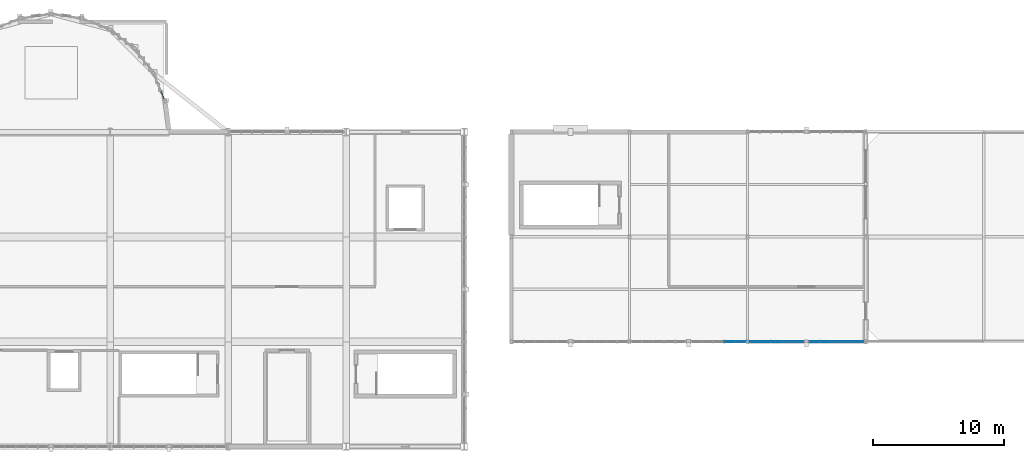
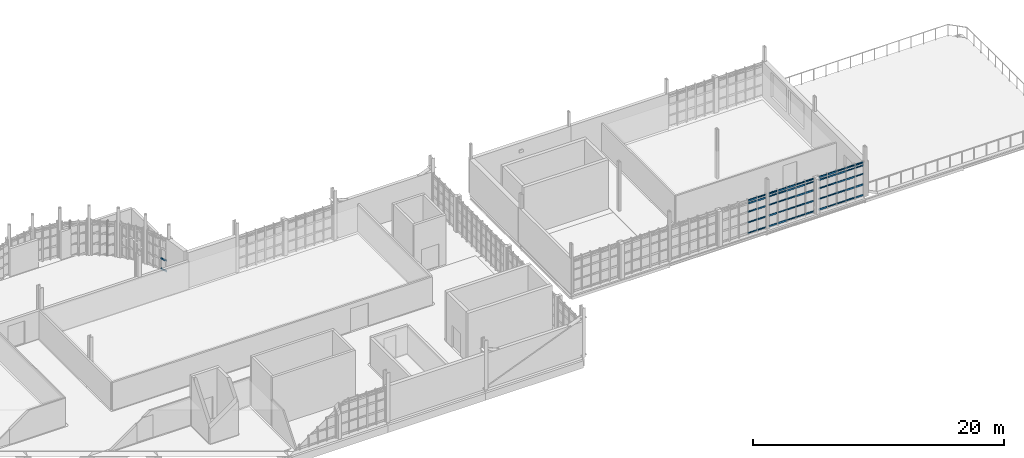
# One storey, part 71 of 128: 62 members, 4 elements without a shape of their own.
"""IFC4 building model written with IfcOpenShell, lengths in metres."""

from ifc_helpers import new_model, si_unit, direction, frame, origin, origin_2d, place, context, subcontext, project, spatial, rectangle, extrude, material, material_profile, profile_set, type_object, element, aggregate, save


model = new_model("IFC4")

# Units and contexts
model_context = context("Model", 3, precision=1e-05, world=origin(), true_north=direction((0.0, 1.0)))
body_context = subcontext(model_context, "Body", "Model", "MODEL_VIEW")
ifc_project = project(units=[si_unit("LENGTHUNIT", "METRE"), si_unit("AREAUNIT", "SQUARE_METRE"), si_unit("VOLUMEUNIT", "CUBIC_METRE"), si_unit("PLANEANGLEUNIT", "RADIAN"), si_unit("MASSUNIT", "GRAM", prefix="KILO")], contexts=[model_context])

# Site, building, storey
site_placement = place(None, origin())
site = spatial("IfcSite", under=ifc_project, at=site_placement, CompositionType="ELEMENT")
building_placement = place(site_placement, origin())
building = spatial("IfcBuilding", under=site, at=building_placement, Name="Serraforn Aerial Cableway Station", CompositionType="ELEMENT")
storey_placement = place(building_placement, frame((0.0, 0.0, 9.0)))
storey = spatial("IfcBuildingStorey", under=building, at=storey_placement, Name="L02", CompositionType="ELEMENT", Elevation=9.0)

# Curtain wall, members
ifc_material_1 = material(Name="Anodised bronze unitised curtain wall")
curtain_wall_type_1 = type_object("IfcCurtainWallType", Name="CW-SYS-26", PredefinedType="USERDEFINED", material=ifc_material_1)
curtain_wall_1_placement = place(storey_placement, origin())
curtain_wall_1 = element("IfcCurtainWall", 1, at=curtain_wall_1_placement, inside=storey, type_object=curtain_wall_type_1, Name="Unitised Curtain Wall CW-EL-L02-S2B", ObjectType="UNITISED CURTAIN WALL", PredefinedType="USERDEFINED")
ifc_material_2 = material(Name="Anodised bronze extruded aluminium", Category="aluminium")
ifc_material_profile_1 = material_profile(ifc_material_2, rectangle(XDim=0.054931640625, YDim=0.110107421875, at=origin_2d()), Name="CW TRANSOM 55x110")
ifc_profile_set_1 = profile_set([ifc_material_profile_1], Name="Anodised bronze extruded aluminium")
member_type_1 = type_object("IfcMemberType", Name="CW-TRN-1", PredefinedType="USERDEFINED", material=ifc_profile_set_1)
member_1_placement = place(storey_placement, frame((110.44873046875, 26.0, 0.13671875), z_axis=(1.0, 0.0, 0.0), x_axis=(0.0, 1.0, 0.0)))
member_1 = element("IfcMember", 2, at=member_1_placement, type_object=member_type_1, Name="Curtain Wall Transom CW-EL-L02-S2B-T4-1", ObjectType="TRANSOM", PredefinedType="USERDEFINED", context=body_context, shape_type="SweptSolid", body=[
    extrude(rectangle(XDim=0.054931640625, YDim=0.110107421875, at=origin_2d()), origin(), (0.0, 0.0, 1.0), 0.783447265625),
])
member_2_placement = place(storey_placement, frame((111.283203125, 26.0, 3.283203125), z_axis=(1.0, 0.0, 0.0), x_axis=(0.0, 1.0, 0.0)))
member_2 = element("IfcMember", 3, at=member_2_placement, type_object=member_type_1, Name="Curtain Wall Transom CW-EL-L02-S2B-T5-5", ObjectType="TRANSOM", PredefinedType="USERDEFINED", context=body_context, shape_type="SweptSolid", body=[
    extrude(rectangle(XDim=0.054931640625, YDim=0.110107421875, at=origin_2d()), origin(), (0.0, 0.0, 1.0), 0.7607421875),
])

curtain_wall_type_2 = type_object("IfcCurtainWallType", Name="CW-SYS-27", PredefinedType="USERDEFINED", material=ifc_material_1)
curtain_wall_2_placement = place(storey_placement, origin())
curtain_wall_2 = element("IfcCurtainWall", 4, at=curtain_wall_2_placement, inside=storey, type_object=curtain_wall_type_2, Name="Unitised Curtain Wall CW-EL-L02-S3A", ObjectType="UNITISED CURTAIN WALL", PredefinedType="USERDEFINED")
member_3_placement = place(storey_placement, frame((112.361083984375, 26.0, 2.188720703125), z_axis=(1.0, 0.0, 0.0), x_axis=(0.0, 1.0, 0.0)))
member_3 = element("IfcMember", 5, at=member_3_placement, type_object=member_type_1, Name="Curtain Wall Transom CW-EL-L02-S3A-T1-3", ObjectType="TRANSOM", PredefinedType="USERDEFINED", context=body_context, shape_type="SweptSolid", body=[
    extrude(rectangle(XDim=0.054931640625, YDim=0.110107421875, at=origin_2d()), origin(), (0.0, 0.0, 1.0), 0.748291015625),
])
member_4_placement = place(storey_placement, frame((113.17529296875, 26.0, 1.162841796875), z_axis=(1.0, 0.0, 0.0), x_axis=(0.0, 1.0, 0.0)))
member_4 = element("IfcMember", 6, at=member_4_placement, type_object=member_type_1, Name="Curtain Wall Transom CW-EL-L02-S3A-T2-2", ObjectType="TRANSOM", PredefinedType="USERDEFINED", context=body_context, shape_type="SweptSolid", body=[
    extrude(rectangle(XDim=0.054931640625, YDim=0.110107421875, at=origin_2d()), origin(), (0.0, 0.0, 1.0), 0.776123046875),
])
member_5_placement = place(storey_placement, frame((114.022216796875, 26.0, 0.13671875), z_axis=(1.0, 0.0, 0.0), x_axis=(0.0, 1.0, 0.0)))
member_5 = element("IfcMember", 7, at=member_5_placement, type_object=member_type_1, Name="Curtain Wall Transom CW-EL-L02-S3A-T3-1", ObjectType="TRANSOM", PredefinedType="USERDEFINED", context=body_context, shape_type="SweptSolid", body=[
    extrude(rectangle(XDim=0.054931640625, YDim=0.110107421875, at=origin_2d()), origin(), (0.0, 0.0, 1.0), 0.783447265625),
])
member_6_placement = place(storey_placement, frame((114.856689453125, 26.0, 3.283203125), z_axis=(1.0, 0.0, 0.0), x_axis=(0.0, 1.0, 0.0)))
member_6 = element("IfcMember", 8, at=member_6_placement, type_object=member_type_1, Name="Curtain Wall Transom CW-EL-L02-S3A-T4-5", ObjectType="TRANSOM", PredefinedType="USERDEFINED", context=body_context, shape_type="SweptSolid", body=[
    extrude(rectangle(XDim=0.054931640625, YDim=0.110107421875, at=origin_2d()), origin(), (0.0, 0.0, 1.0), 0.791015625),
])
member_7_placement = place(storey_placement, frame((115.70361328125, 26.0, 3.009521484375), z_axis=(1.0, 0.0, 0.0), x_axis=(0.0, 1.0, 0.0)))
member_7 = element("IfcMember", 9, at=member_7_placement, type_object=member_type_1, Name="Curtain Wall Transom CW-EL-L02-S3A-T5-4", ObjectType="TRANSOM", PredefinedType="USERDEFINED", context=body_context, shape_type="SweptSolid", body=[
    extrude(rectangle(XDim=0.054931640625, YDim=0.110107421875, at=origin_2d()), origin(), (0.0, 0.0, 1.0), 0.75341796875),
])

curtain_wall_type_3 = type_object("IfcCurtainWallType", Name="CW-SYS-28", PredefinedType="USERDEFINED", material=ifc_material_1)
curtain_wall_3_placement = place(storey_placement, origin())
curtain_wall_3 = element("IfcCurtainWall", 10, at=curtain_wall_3_placement, inside=storey, type_object=curtain_wall_type_3, Name="Unitised Curtain Wall CW-EL-L02-S3B", ObjectType="UNITISED CURTAIN WALL", PredefinedType="USERDEFINED")
member_8_placement = place(storey_placement, frame((116.947998046875, 26.0, 1.162841796875), z_axis=(1.0, 0.0, 0.0), x_axis=(0.0, 1.0, 0.0)))
member_8 = element("IfcMember", 11, at=member_8_placement, type_object=member_type_1, Name="Curtain Wall Transom CW-EL-L02-S3B-T1-2", ObjectType="TRANSOM", PredefinedType="USERDEFINED", context=body_context, shape_type="SweptSolid", body=[
    extrude(rectangle(XDim=0.054931640625, YDim=0.110107421875, at=origin_2d()), origin(), (0.0, 0.0, 1.0), 0.740966796875),
])
member_9_placement = place(storey_placement, frame((117.760009765625, 26.0, 0.13671875), z_axis=(1.0, 0.0, 0.0), x_axis=(0.0, 1.0, 0.0)))
member_9 = element("IfcMember", 12, at=member_9_placement, type_object=member_type_1, Name="Curtain Wall Transom CW-EL-L02-S3B-T2-1", ObjectType="TRANSOM", PredefinedType="USERDEFINED", context=body_context, shape_type="SweptSolid", body=[
    extrude(rectangle(XDim=0.054931640625, YDim=0.110107421875, at=origin_2d()), origin(), (0.0, 0.0, 1.0), 0.783203125),
])
member_10_placement = place(storey_placement, frame((118.59423828125, 26.0, 3.283203125), z_axis=(1.0, 0.0, 0.0), x_axis=(0.0, 1.0, 0.0)))
member_10 = element("IfcMember", 13, at=member_10_placement, type_object=member_type_1, Name="Curtain Wall Transom CW-EL-L02-S3B-T3-5", ObjectType="TRANSOM", PredefinedType="USERDEFINED", context=body_context, shape_type="SweptSolid", body=[
    extrude(rectangle(XDim=0.054931640625, YDim=0.110107421875, at=origin_2d()), origin(), (0.0, 0.0, 1.0), 0.791015625),
])
member_11_placement = place(storey_placement, frame((119.441162109375, 26.0, 3.009521484375), z_axis=(1.0, 0.0, 0.0), x_axis=(0.0, 1.0, 0.0)))
member_11 = element("IfcMember", 14, at=member_11_placement, type_object=member_type_1, Name="Curtain Wall Transom CW-EL-L02-S3B-T4-4", ObjectType="TRANSOM", PredefinedType="USERDEFINED", context=body_context, shape_type="SweptSolid", body=[
    extrude(rectangle(XDim=0.054931640625, YDim=0.110107421875, at=origin_2d()), origin(), (0.0, 0.0, 1.0), 0.785888671875),
])
member_12_placement = place(storey_placement, frame((120.2880859375, 26.0, 2.188720703125), z_axis=(1.0, 0.0, 0.0), x_axis=(0.0, 1.0, 0.0)))
member_12 = element("IfcMember", 15, at=member_12_placement, type_object=member_type_1, Name="Curtain Wall Transom CW-EL-L02-S3B-T5-3", ObjectType="TRANSOM", PredefinedType="USERDEFINED", context=body_context, shape_type="SweptSolid", body=[
    extrude(rectangle(XDim=0.054931640625, YDim=0.110107421875, at=origin_2d()), origin(), (0.0, 0.0, 1.0), 0.745849609375),
])

# Member
ifc_material_profile_2 = material_profile(ifc_material_2, rectangle(XDim=0.06005859375, YDim=0.1201171875, at=origin_2d()), Name="CW TRANSOM 60x120")
ifc_profile_set_2 = profile_set([ifc_material_profile_2], Name="Anodised bronze extruded aluminium")
member_type_2 = type_object("IfcMemberType", Name="CW-TRN-2", PredefinedType="USERDEFINED", material=ifc_profile_set_2)
member_13_placement = place(storey_placement, frame((110.44873046875, 26.0, 1.162841796875), z_axis=(1.0, 0.0, 0.0), x_axis=(0.0, 1.0, 0.0)))
member_13 = element("IfcMember", 16, at=member_13_placement, type_object=member_type_2, Name="Curtain Wall Transom CW-EL-L02-S2B-T4-2", ObjectType="TRANSOM", PredefinedType="USERDEFINED", context=body_context, shape_type="SweptSolid", body=[
    extrude(rectangle(XDim=0.06005859375, YDim=0.1201171875, at=origin_2d()), origin(), (0.0, 0.0, 1.0), 0.783447265625),
])

member_14_placement = place(storey_placement, frame((111.283203125, 26.0, 0.13671875), z_axis=(1.0, 0.0, 0.0), x_axis=(0.0, 1.0, 0.0)))
member_14 = element("IfcMember", 17, at=member_14_placement, type_object=member_type_2, Name="Curtain Wall Transom CW-EL-L02-S2B-T5-1", ObjectType="TRANSOM", PredefinedType="USERDEFINED", context=body_context, shape_type="SweptSolid", body=[
    extrude(rectangle(XDim=0.06005859375, YDim=0.1201171875, at=origin_2d()), origin(), (0.0, 0.0, 1.0), 0.7607421875),
])

member_15_placement = place(storey_placement, frame((112.361083984375, 26.0, 3.009521484375), z_axis=(1.0, 0.0, 0.0), x_axis=(0.0, 1.0, 0.0)))
member_15 = element("IfcMember", 18, at=member_15_placement, type_object=member_type_2, Name="Curtain Wall Transom CW-EL-L02-S3A-T1-4", ObjectType="TRANSOM", PredefinedType="USERDEFINED", context=body_context, shape_type="SweptSolid", body=[
    extrude(rectangle(XDim=0.06005859375, YDim=0.1201171875, at=origin_2d()), origin(), (0.0, 0.0, 1.0), 0.748291015625),
])

member_16_placement = place(storey_placement, frame((113.17529296875, 26.0, 2.188720703125), z_axis=(1.0, 0.0, 0.0), x_axis=(0.0, 1.0, 0.0)))
member_16 = element("IfcMember", 19, at=member_16_placement, type_object=member_type_2, Name="Curtain Wall Transom CW-EL-L02-S3A-T2-3", ObjectType="TRANSOM", PredefinedType="USERDEFINED", context=body_context, shape_type="SweptSolid", body=[
    extrude(rectangle(XDim=0.06005859375, YDim=0.1201171875, at=origin_2d()), origin(), (0.0, 0.0, 1.0), 0.776123046875),
])

member_17_placement = place(storey_placement, frame((114.022216796875, 26.0, 1.162841796875), z_axis=(1.0, 0.0, 0.0), x_axis=(0.0, 1.0, 0.0)))
member_17 = element("IfcMember", 20, at=member_17_placement, type_object=member_type_2, Name="Curtain Wall Transom CW-EL-L02-S3A-T3-2", ObjectType="TRANSOM", PredefinedType="USERDEFINED", context=body_context, shape_type="SweptSolid", body=[
    extrude(rectangle(XDim=0.06005859375, YDim=0.1201171875, at=origin_2d()), origin(), (0.0, 0.0, 1.0), 0.783447265625),
])

member_18_placement = place(storey_placement, frame((114.856689453125, 26.0, 0.13671875), z_axis=(1.0, 0.0, 0.0), x_axis=(0.0, 1.0, 0.0)))
member_18 = element("IfcMember", 21, at=member_18_placement, type_object=member_type_2, Name="Curtain Wall Transom CW-EL-L02-S3A-T4-1", ObjectType="TRANSOM", PredefinedType="USERDEFINED", context=body_context, shape_type="SweptSolid", body=[
    extrude(rectangle(XDim=0.06005859375, YDim=0.1201171875, at=origin_2d()), origin(), (0.0, 0.0, 1.0), 0.791015625),
])

member_19_placement = place(storey_placement, frame((115.70361328125, 26.0, 3.283203125), z_axis=(1.0, 0.0, 0.0), x_axis=(0.0, 1.0, 0.0)))
member_19 = element("IfcMember", 22, at=member_19_placement, type_object=member_type_2, Name="Curtain Wall Transom CW-EL-L02-S3A-T5-5", ObjectType="TRANSOM", PredefinedType="USERDEFINED", context=body_context, shape_type="SweptSolid", body=[
    extrude(rectangle(XDim=0.06005859375, YDim=0.1201171875, at=origin_2d()), origin(), (0.0, 0.0, 1.0), 0.75341796875),
])

member_20_placement = place(storey_placement, frame((116.947998046875, 26.0, 2.188720703125), z_axis=(1.0, 0.0, 0.0), x_axis=(0.0, 1.0, 0.0)))
member_20 = element("IfcMember", 23, at=member_20_placement, type_object=member_type_2, Name="Curtain Wall Transom CW-EL-L02-S3B-T1-3", ObjectType="TRANSOM", PredefinedType="USERDEFINED", context=body_context, shape_type="SweptSolid", body=[
    extrude(rectangle(XDim=0.06005859375, YDim=0.1201171875, at=origin_2d()), origin(), (0.0, 0.0, 1.0), 0.740966796875),
])

member_21_placement = place(storey_placement, frame((117.760009765625, 26.0, 1.162841796875), z_axis=(1.0, 0.0, 0.0), x_axis=(0.0, 1.0, 0.0)))
member_21 = element("IfcMember", 24, at=member_21_placement, type_object=member_type_2, Name="Curtain Wall Transom CW-EL-L02-S3B-T2-2", ObjectType="TRANSOM", PredefinedType="USERDEFINED", context=body_context, shape_type="SweptSolid", body=[
    extrude(rectangle(XDim=0.06005859375, YDim=0.1201171875, at=origin_2d()), origin(), (0.0, 0.0, 1.0), 0.783203125),
])

member_22_placement = place(storey_placement, frame((118.59423828125, 26.0, 0.13671875), z_axis=(1.0, 0.0, 0.0), x_axis=(0.0, 1.0, 0.0)))
member_22 = element("IfcMember", 25, at=member_22_placement, type_object=member_type_2, Name="Curtain Wall Transom CW-EL-L02-S3B-T3-1", ObjectType="TRANSOM", PredefinedType="USERDEFINED", context=body_context, shape_type="SweptSolid", body=[
    extrude(rectangle(XDim=0.06005859375, YDim=0.1201171875, at=origin_2d()), origin(), (0.0, 0.0, 1.0), 0.791015625),
])

member_23_placement = place(storey_placement, frame((119.441162109375, 26.0, 3.283203125), z_axis=(1.0, 0.0, 0.0), x_axis=(0.0, 1.0, 0.0)))
member_23 = element("IfcMember", 26, at=member_23_placement, type_object=member_type_2, Name="Curtain Wall Transom CW-EL-L02-S3B-T4-5", ObjectType="TRANSOM", PredefinedType="USERDEFINED", context=body_context, shape_type="SweptSolid", body=[
    extrude(rectangle(XDim=0.06005859375, YDim=0.1201171875, at=origin_2d()), origin(), (0.0, 0.0, 1.0), 0.785888671875),
])

member_24_placement = place(storey_placement, frame((120.2880859375, 26.0, 3.009521484375), z_axis=(1.0, 0.0, 0.0), x_axis=(0.0, 1.0, 0.0)))
member_24 = element("IfcMember", 27, at=member_24_placement, type_object=member_type_2, Name="Curtain Wall Transom CW-EL-L02-S3B-T5-4", ObjectType="TRANSOM", PredefinedType="USERDEFINED", context=body_context, shape_type="SweptSolid", body=[
    extrude(rectangle(XDim=0.06005859375, YDim=0.1201171875, at=origin_2d()), origin(), (0.0, 0.0, 1.0), 0.745849609375),
])

# Curtain wall, member
curtain_wall_type_4 = type_object("IfcCurtainWallType", Name="CW-SYS-14", PredefinedType="USERDEFINED", material=ifc_material_1)
curtain_wall_4_placement = place(storey_placement, origin())
curtain_wall_4 = element("IfcCurtainWall", 28, at=curtain_wall_4_placement, inside=storey, type_object=curtain_wall_type_4, Name="Unitised Curtain Wall CW-AP-L02-R11", ObjectType="UNITISED CURTAIN WALL", PredefinedType="USERDEFINED")
ifc_material_profile_3 = material_profile(ifc_material_2, rectangle(XDim=0.06494140625, YDim=0.135009765625, at=origin_2d()), Name="CW TRANSOM 65x135")
ifc_profile_set_3 = profile_set([ifc_material_profile_3], Name="Anodised bronze extruded aluminium")
member_type_3 = type_object("IfcMemberType", Name="CW-TRN-3", PredefinedType="USERDEFINED", material=ifc_profile_set_3)
member_25_placement = place(storey_placement, frame((67.70361328125, 44.5458984375, 0.13671875), z_axis=(-0.382451436446, 0.923975594245, 0.0), x_axis=(-0.923975594245, -0.382451436446, 0.0)))
member_25 = element("IfcMember", 29, at=member_25_placement, type_object=member_type_3, Name="Curtain Wall Transom CW-AP-L02-R11-T1-1", ObjectType="TRANSOM", PredefinedType="USERDEFINED", context=body_context, shape_type="SweptSolid", body=[
    extrude(rectangle(XDim=0.06494140625, YDim=0.135009765625, at=origin_2d()), origin(), (0.0, 0.0, 1.0), 0.5771484375),
])

# Member
member_26_placement = place(storey_placement, frame((110.44873046875, 26.0, 2.188720703125), z_axis=(1.0, 0.0, 0.0), x_axis=(0.0, 1.0, 0.0)))
member_26 = element("IfcMember", 30, at=member_26_placement, type_object=member_type_3, Name="Curtain Wall Transom CW-EL-L02-S2B-T4-3", ObjectType="TRANSOM", PredefinedType="USERDEFINED", context=body_context, shape_type="SweptSolid", body=[
    extrude(rectangle(XDim=0.06494140625, YDim=0.135009765625, at=origin_2d()), origin(), (0.0, 0.0, 1.0), 0.783447265625),
])

member_27_placement = place(storey_placement, frame((111.283203125, 26.0, 1.162841796875), z_axis=(1.0, 0.0, 0.0), x_axis=(0.0, 1.0, 0.0)))
member_27 = element("IfcMember", 31, at=member_27_placement, type_object=member_type_3, Name="Curtain Wall Transom CW-EL-L02-S2B-T5-2", ObjectType="TRANSOM", PredefinedType="USERDEFINED", context=body_context, shape_type="SweptSolid", body=[
    extrude(rectangle(XDim=0.06494140625, YDim=0.135009765625, at=origin_2d()), origin(), (0.0, 0.0, 1.0), 0.7607421875),
])

member_28_placement = place(storey_placement, frame((112.361083984375, 26.0, 3.283203125), z_axis=(1.0, 0.0, 0.0), x_axis=(0.0, 1.0, 0.0)))
member_28 = element("IfcMember", 32, at=member_28_placement, type_object=member_type_3, Name="Curtain Wall Transom CW-EL-L02-S3A-T1-5", ObjectType="TRANSOM", PredefinedType="USERDEFINED", context=body_context, shape_type="SweptSolid", body=[
    extrude(rectangle(XDim=0.06494140625, YDim=0.135009765625, at=origin_2d()), origin(), (0.0, 0.0, 1.0), 0.748291015625),
])

member_29_placement = place(storey_placement, frame((113.17529296875, 26.0, 3.009521484375), z_axis=(1.0, 0.0, 0.0), x_axis=(0.0, 1.0, 0.0)))
member_29 = element("IfcMember", 33, at=member_29_placement, type_object=member_type_3, Name="Curtain Wall Transom CW-EL-L02-S3A-T2-4", ObjectType="TRANSOM", PredefinedType="USERDEFINED", context=body_context, shape_type="SweptSolid", body=[
    extrude(rectangle(XDim=0.06494140625, YDim=0.135009765625, at=origin_2d()), origin(), (0.0, 0.0, 1.0), 0.776123046875),
])

member_30_placement = place(storey_placement, frame((114.022216796875, 26.0, 2.188720703125), z_axis=(1.0, 0.0, 0.0), x_axis=(0.0, 1.0, 0.0)))
member_30 = element("IfcMember", 34, at=member_30_placement, type_object=member_type_3, Name="Curtain Wall Transom CW-EL-L02-S3A-T3-3", ObjectType="TRANSOM", PredefinedType="USERDEFINED", context=body_context, shape_type="SweptSolid", body=[
    extrude(rectangle(XDim=0.06494140625, YDim=0.135009765625, at=origin_2d()), origin(), (0.0, 0.0, 1.0), 0.783447265625),
])

member_31_placement = place(storey_placement, frame((114.856689453125, 26.0, 1.162841796875), z_axis=(1.0, 0.0, 0.0), x_axis=(0.0, 1.0, 0.0)))
member_31 = element("IfcMember", 35, at=member_31_placement, type_object=member_type_3, Name="Curtain Wall Transom CW-EL-L02-S3A-T4-2", ObjectType="TRANSOM", PredefinedType="USERDEFINED", context=body_context, shape_type="SweptSolid", body=[
    extrude(rectangle(XDim=0.06494140625, YDim=0.135009765625, at=origin_2d()), origin(), (0.0, 0.0, 1.0), 0.791015625),
])

member_32_placement = place(storey_placement, frame((115.70361328125, 26.0, 0.13671875), z_axis=(1.0, 0.0, 0.0), x_axis=(0.0, 1.0, 0.0)))
member_32 = element("IfcMember", 36, at=member_32_placement, type_object=member_type_3, Name="Curtain Wall Transom CW-EL-L02-S3A-T5-1", ObjectType="TRANSOM", PredefinedType="USERDEFINED", context=body_context, shape_type="SweptSolid", body=[
    extrude(rectangle(XDim=0.06494140625, YDim=0.135009765625, at=origin_2d()), origin(), (0.0, 0.0, 1.0), 0.75341796875),
])

member_33_placement = place(storey_placement, frame((116.947998046875, 26.0, 3.009521484375), z_axis=(1.0, 0.0, 0.0), x_axis=(0.0, 1.0, 0.0)))
member_33 = element("IfcMember", 37, at=member_33_placement, type_object=member_type_3, Name="Curtain Wall Transom CW-EL-L02-S3B-T1-4", ObjectType="TRANSOM", PredefinedType="USERDEFINED", context=body_context, shape_type="SweptSolid", body=[
    extrude(rectangle(XDim=0.06494140625, YDim=0.135009765625, at=origin_2d()), origin(), (0.0, 0.0, 1.0), 0.740966796875),
])

member_34_placement = place(storey_placement, frame((117.760009765625, 26.0, 2.188720703125), z_axis=(1.0, 0.0, 0.0), x_axis=(0.0, 1.0, 0.0)))
member_34 = element("IfcMember", 38, at=member_34_placement, type_object=member_type_3, Name="Curtain Wall Transom CW-EL-L02-S3B-T2-3", ObjectType="TRANSOM", PredefinedType="USERDEFINED", context=body_context, shape_type="SweptSolid", body=[
    extrude(rectangle(XDim=0.06494140625, YDim=0.135009765625, at=origin_2d()), origin(), (0.0, 0.0, 1.0), 0.783203125),
])

member_35_placement = place(storey_placement, frame((118.59423828125, 26.0, 1.162841796875), z_axis=(1.0, 0.0, 0.0), x_axis=(0.0, 1.0, 0.0)))
member_35 = element("IfcMember", 39, at=member_35_placement, type_object=member_type_3, Name="Curtain Wall Transom CW-EL-L02-S3B-T3-2", ObjectType="TRANSOM", PredefinedType="USERDEFINED", context=body_context, shape_type="SweptSolid", body=[
    extrude(rectangle(XDim=0.06494140625, YDim=0.135009765625, at=origin_2d()), origin(), (0.0, 0.0, 1.0), 0.791015625),
])

member_36_placement = place(storey_placement, frame((119.441162109375, 26.0, 0.13671875), z_axis=(1.0, 0.0, 0.0), x_axis=(0.0, 1.0, 0.0)))
member_36 = element("IfcMember", 40, at=member_36_placement, type_object=member_type_3, Name="Curtain Wall Transom CW-EL-L02-S3B-T4-1", ObjectType="TRANSOM", PredefinedType="USERDEFINED", context=body_context, shape_type="SweptSolid", body=[
    extrude(rectangle(XDim=0.06494140625, YDim=0.135009765625, at=origin_2d()), origin(), (0.0, 0.0, 1.0), 0.785888671875),
])

member_37_placement = place(storey_placement, frame((120.2880859375, 26.0, 3.283203125), z_axis=(1.0, 0.0, 0.0), x_axis=(0.0, 1.0, 0.0)))
member_37 = element("IfcMember", 41, at=member_37_placement, type_object=member_type_3, Name="Curtain Wall Transom CW-EL-L02-S3B-T5-5", ObjectType="TRANSOM", PredefinedType="USERDEFINED", context=body_context, shape_type="SweptSolid", body=[
    extrude(rectangle(XDim=0.06494140625, YDim=0.135009765625, at=origin_2d()), origin(), (0.0, 0.0, 1.0), 0.745849609375),
])

ifc_material_profile_4 = material_profile(ifc_material_2, rectangle(XDim=0.070068359375, YDim=0.14990234375, at=origin_2d()), Name="CW TRANSOM 70x150")
ifc_profile_set_4 = profile_set([ifc_material_profile_4], Name="Anodised bronze extruded aluminium")
member_type_4 = type_object("IfcMemberType", Name="CW-TRN-4", PredefinedType="USERDEFINED", material=ifc_profile_set_4)
member_38_placement = place(storey_placement, frame((67.70361328125, 44.5458984375, 1.162841796875), z_axis=(-0.382451436446, 0.923975594245, 0.0), x_axis=(-0.923975594245, -0.382451436446, 0.0)))
member_38 = element("IfcMember", 42, at=member_38_placement, type_object=member_type_4, Name="Curtain Wall Transom CW-AP-L02-R11-T1-2", ObjectType="TRANSOM", PredefinedType="USERDEFINED", context=body_context, shape_type="SweptSolid", body=[
    extrude(rectangle(XDim=0.070068359375, YDim=0.14990234375, at=origin_2d()), origin(), (0.0, 0.0, 1.0), 0.5771484375),
])

aggregate(curtain_wall_4, [member_25, member_38])

member_39_placement = place(storey_placement, frame((110.44873046875, 26.0, 3.009521484375), z_axis=(1.0, 0.0, 0.0), x_axis=(0.0, 1.0, 0.0)))
member_39 = element("IfcMember", 43, at=member_39_placement, type_object=member_type_4, Name="Curtain Wall Transom CW-EL-L02-S2B-T4-4", ObjectType="TRANSOM", PredefinedType="USERDEFINED", context=body_context, shape_type="SweptSolid", body=[
    extrude(rectangle(XDim=0.070068359375, YDim=0.14990234375, at=origin_2d()), origin(), (0.0, 0.0, 1.0), 0.783447265625),
])

member_40_placement = place(storey_placement, frame((111.283203125, 26.0, 2.188720703125), z_axis=(1.0, 0.0, 0.0), x_axis=(0.0, 1.0, 0.0)))
member_40 = element("IfcMember", 44, at=member_40_placement, type_object=member_type_4, Name="Curtain Wall Transom CW-EL-L02-S2B-T5-3", ObjectType="TRANSOM", PredefinedType="USERDEFINED", context=body_context, shape_type="SweptSolid", body=[
    extrude(rectangle(XDim=0.070068359375, YDim=0.14990234375, at=origin_2d()), origin(), (0.0, 0.0, 1.0), 0.7607421875),
])

member_41_placement = place(storey_placement, frame((112.361083984375, 26.0, 0.13671875), z_axis=(1.0, 0.0, 0.0), x_axis=(0.0, 1.0, 0.0)))
member_41 = element("IfcMember", 45, at=member_41_placement, type_object=member_type_4, Name="Curtain Wall Transom CW-EL-L02-S3A-T1-1", ObjectType="TRANSOM", PredefinedType="USERDEFINED", context=body_context, shape_type="SweptSolid", body=[
    extrude(rectangle(XDim=0.070068359375, YDim=0.14990234375, at=origin_2d()), origin(), (0.0, 0.0, 1.0), 0.748291015625),
])

member_42_placement = place(storey_placement, frame((113.17529296875, 26.0, 3.283203125), z_axis=(1.0, 0.0, 0.0), x_axis=(0.0, 1.0, 0.0)))
member_42 = element("IfcMember", 46, at=member_42_placement, type_object=member_type_4, Name="Curtain Wall Transom CW-EL-L02-S3A-T2-5", ObjectType="TRANSOM", PredefinedType="USERDEFINED", context=body_context, shape_type="SweptSolid", body=[
    extrude(rectangle(XDim=0.070068359375, YDim=0.14990234375, at=origin_2d()), origin(), (0.0, 0.0, 1.0), 0.776123046875),
])

member_43_placement = place(storey_placement, frame((114.022216796875, 26.0, 3.009521484375), z_axis=(1.0, 0.0, 0.0), x_axis=(0.0, 1.0, 0.0)))
member_43 = element("IfcMember", 47, at=member_43_placement, type_object=member_type_4, Name="Curtain Wall Transom CW-EL-L02-S3A-T3-4", ObjectType="TRANSOM", PredefinedType="USERDEFINED", context=body_context, shape_type="SweptSolid", body=[
    extrude(rectangle(XDim=0.070068359375, YDim=0.14990234375, at=origin_2d()), origin(), (0.0, 0.0, 1.0), 0.783447265625),
])

member_44_placement = place(storey_placement, frame((114.856689453125, 26.0, 2.188720703125), z_axis=(1.0, 0.0, 0.0), x_axis=(0.0, 1.0, 0.0)))
member_44 = element("IfcMember", 48, at=member_44_placement, type_object=member_type_4, Name="Curtain Wall Transom CW-EL-L02-S3A-T4-3", ObjectType="TRANSOM", PredefinedType="USERDEFINED", context=body_context, shape_type="SweptSolid", body=[
    extrude(rectangle(XDim=0.070068359375, YDim=0.14990234375, at=origin_2d()), origin(), (0.0, 0.0, 1.0), 0.791015625),
])

member_45_placement = place(storey_placement, frame((115.70361328125, 26.0, 1.162841796875), z_axis=(1.0, 0.0, 0.0), x_axis=(0.0, 1.0, 0.0)))
member_45 = element("IfcMember", 49, at=member_45_placement, type_object=member_type_4, Name="Curtain Wall Transom CW-EL-L02-S3A-T5-2", ObjectType="TRANSOM", PredefinedType="USERDEFINED", context=body_context, shape_type="SweptSolid", body=[
    extrude(rectangle(XDim=0.070068359375, YDim=0.14990234375, at=origin_2d()), origin(), (0.0, 0.0, 1.0), 0.75341796875),
])

member_46_placement = place(storey_placement, frame((116.947998046875, 26.0, 3.283203125), z_axis=(1.0, 0.0, 0.0), x_axis=(0.0, 1.0, 0.0)))
member_46 = element("IfcMember", 50, at=member_46_placement, type_object=member_type_4, Name="Curtain Wall Transom CW-EL-L02-S3B-T1-5", ObjectType="TRANSOM", PredefinedType="USERDEFINED", context=body_context, shape_type="SweptSolid", body=[
    extrude(rectangle(XDim=0.070068359375, YDim=0.14990234375, at=origin_2d()), origin(), (0.0, 0.0, 1.0), 0.740966796875),
])

member_47_placement = place(storey_placement, frame((117.760009765625, 26.0, 3.009521484375), z_axis=(1.0, 0.0, 0.0), x_axis=(0.0, 1.0, 0.0)))
member_47 = element("IfcMember", 51, at=member_47_placement, type_object=member_type_4, Name="Curtain Wall Transom CW-EL-L02-S3B-T2-4", ObjectType="TRANSOM", PredefinedType="USERDEFINED", context=body_context, shape_type="SweptSolid", body=[
    extrude(rectangle(XDim=0.070068359375, YDim=0.14990234375, at=origin_2d()), origin(), (0.0, 0.0, 1.0), 0.783203125),
])

member_48_placement = place(storey_placement, frame((118.59423828125, 26.0, 2.188720703125), z_axis=(1.0, 0.0, 0.0), x_axis=(0.0, 1.0, 0.0)))
member_48 = element("IfcMember", 52, at=member_48_placement, type_object=member_type_4, Name="Curtain Wall Transom CW-EL-L02-S3B-T3-3", ObjectType="TRANSOM", PredefinedType="USERDEFINED", context=body_context, shape_type="SweptSolid", body=[
    extrude(rectangle(XDim=0.070068359375, YDim=0.14990234375, at=origin_2d()), origin(), (0.0, 0.0, 1.0), 0.791015625),
])

member_49_placement = place(storey_placement, frame((119.441162109375, 26.0, 1.162841796875), z_axis=(1.0, 0.0, 0.0), x_axis=(0.0, 1.0, 0.0)))
member_49 = element("IfcMember", 53, at=member_49_placement, type_object=member_type_4, Name="Curtain Wall Transom CW-EL-L02-S3B-T4-2", ObjectType="TRANSOM", PredefinedType="USERDEFINED", context=body_context, shape_type="SweptSolid", body=[
    extrude(rectangle(XDim=0.070068359375, YDim=0.14990234375, at=origin_2d()), origin(), (0.0, 0.0, 1.0), 0.785888671875),
])

member_50_placement = place(storey_placement, frame((120.2880859375, 26.0, 0.13671875), z_axis=(1.0, 0.0, 0.0), x_axis=(0.0, 1.0, 0.0)))
member_50 = element("IfcMember", 54, at=member_50_placement, type_object=member_type_4, Name="Curtain Wall Transom CW-EL-L02-S3B-T5-1", ObjectType="TRANSOM", PredefinedType="USERDEFINED", context=body_context, shape_type="SweptSolid", body=[
    extrude(rectangle(XDim=0.070068359375, YDim=0.14990234375, at=origin_2d()), origin(), (0.0, 0.0, 1.0), 0.745849609375),
])

ifc_material_profile_5 = material_profile(ifc_material_2, rectangle(XDim=0.074951171875, YDim=0.1650390625, at=origin_2d()), Name="CW TRANSOM 75x165")
ifc_profile_set_5 = profile_set([ifc_material_profile_5], Name="Anodised bronze extruded aluminium")
member_type_5 = type_object("IfcMemberType", Name="CW-TRN-5", PredefinedType="USERDEFINED", material=ifc_profile_set_5)
member_51_placement = place(storey_placement, frame((110.44873046875, 26.0, 3.283203125), z_axis=(1.0, 0.0, 0.0), x_axis=(0.0, 1.0, 0.0)))
member_51 = element("IfcMember", 55, at=member_51_placement, type_object=member_type_5, Name="Curtain Wall Transom CW-EL-L02-S2B-T4-5", ObjectType="TRANSOM", PredefinedType="USERDEFINED", context=body_context, shape_type="SweptSolid", body=[
    extrude(rectangle(XDim=0.074951171875, YDim=0.1650390625, at=origin_2d()), origin(), (0.0, 0.0, 1.0), 0.783447265625),
])

member_52_placement = place(storey_placement, frame((111.283203125, 26.0, 3.009521484375), z_axis=(1.0, 0.0, 0.0), x_axis=(0.0, 1.0, 0.0)))
member_52 = element("IfcMember", 56, at=member_52_placement, type_object=member_type_5, Name="Curtain Wall Transom CW-EL-L02-S2B-T5-4", ObjectType="TRANSOM", PredefinedType="USERDEFINED", context=body_context, shape_type="SweptSolid", body=[
    extrude(rectangle(XDim=0.074951171875, YDim=0.1650390625, at=origin_2d()), origin(), (0.0, 0.0, 1.0), 0.7607421875),
])

aggregate(curtain_wall_1, [member_1, member_13, member_26, member_39, member_51, member_14, member_27, member_40, member_52, member_2])

member_53_placement = place(storey_placement, frame((112.361083984375, 26.0, 1.162841796875), z_axis=(1.0, 0.0, 0.0), x_axis=(0.0, 1.0, 0.0)))
member_53 = element("IfcMember", 57, at=member_53_placement, type_object=member_type_5, Name="Curtain Wall Transom CW-EL-L02-S3A-T1-2", ObjectType="TRANSOM", PredefinedType="USERDEFINED", context=body_context, shape_type="SweptSolid", body=[
    extrude(rectangle(XDim=0.074951171875, YDim=0.1650390625, at=origin_2d()), origin(), (0.0, 0.0, 1.0), 0.748291015625),
])

member_54_placement = place(storey_placement, frame((113.17529296875, 26.0, 0.13671875), z_axis=(1.0, 0.0, 0.0), x_axis=(0.0, 1.0, 0.0)))
member_54 = element("IfcMember", 58, at=member_54_placement, type_object=member_type_5, Name="Curtain Wall Transom CW-EL-L02-S3A-T2-1", ObjectType="TRANSOM", PredefinedType="USERDEFINED", context=body_context, shape_type="SweptSolid", body=[
    extrude(rectangle(XDim=0.074951171875, YDim=0.1650390625, at=origin_2d()), origin(), (0.0, 0.0, 1.0), 0.776123046875),
])

member_55_placement = place(storey_placement, frame((114.022216796875, 26.0, 3.283203125), z_axis=(1.0, 0.0, 0.0), x_axis=(0.0, 1.0, 0.0)))
member_55 = element("IfcMember", 59, at=member_55_placement, type_object=member_type_5, Name="Curtain Wall Transom CW-EL-L02-S3A-T3-5", ObjectType="TRANSOM", PredefinedType="USERDEFINED", context=body_context, shape_type="SweptSolid", body=[
    extrude(rectangle(XDim=0.074951171875, YDim=0.1650390625, at=origin_2d()), origin(), (0.0, 0.0, 1.0), 0.783447265625),
])

member_56_placement = place(storey_placement, frame((114.856689453125, 26.0, 3.009521484375), z_axis=(1.0, 0.0, 0.0), x_axis=(0.0, 1.0, 0.0)))
member_56 = element("IfcMember", 60, at=member_56_placement, type_object=member_type_5, Name="Curtain Wall Transom CW-EL-L02-S3A-T4-4", ObjectType="TRANSOM", PredefinedType="USERDEFINED", context=body_context, shape_type="SweptSolid", body=[
    extrude(rectangle(XDim=0.074951171875, YDim=0.1650390625, at=origin_2d()), origin(), (0.0, 0.0, 1.0), 0.791015625),
])

member_57_placement = place(storey_placement, frame((115.70361328125, 26.0, 2.188720703125), z_axis=(1.0, 0.0, 0.0), x_axis=(0.0, 1.0, 0.0)))
member_57 = element("IfcMember", 61, at=member_57_placement, type_object=member_type_5, Name="Curtain Wall Transom CW-EL-L02-S3A-T5-3", ObjectType="TRANSOM", PredefinedType="USERDEFINED", context=body_context, shape_type="SweptSolid", body=[
    extrude(rectangle(XDim=0.074951171875, YDim=0.1650390625, at=origin_2d()), origin(), (0.0, 0.0, 1.0), 0.75341796875),
])

aggregate(curtain_wall_2, [member_41, member_53, member_3, member_15, member_28, member_54, member_4, member_16, member_29, member_42, member_5, member_17, member_30, member_43, member_55, member_18, member_31, member_44, member_56, member_6, member_32, member_45, member_57, member_7, member_19])

member_58_placement = place(storey_placement, frame((116.947998046875, 26.0, 0.13671875), z_axis=(1.0, 0.0, 0.0), x_axis=(0.0, 1.0, 0.0)))
member_58 = element("IfcMember", 62, at=member_58_placement, type_object=member_type_5, Name="Curtain Wall Transom CW-EL-L02-S3B-T1-1", ObjectType="TRANSOM", PredefinedType="USERDEFINED", context=body_context, shape_type="SweptSolid", body=[
    extrude(rectangle(XDim=0.074951171875, YDim=0.1650390625, at=origin_2d()), origin(), (0.0, 0.0, 1.0), 0.740966796875),
])

member_59_placement = place(storey_placement, frame((117.760009765625, 26.0, 3.283203125), z_axis=(1.0, 0.0, 0.0), x_axis=(0.0, 1.0, 0.0)))
member_59 = element("IfcMember", 63, at=member_59_placement, type_object=member_type_5, Name="Curtain Wall Transom CW-EL-L02-S3B-T2-5", ObjectType="TRANSOM", PredefinedType="USERDEFINED", context=body_context, shape_type="SweptSolid", body=[
    extrude(rectangle(XDim=0.074951171875, YDim=0.1650390625, at=origin_2d()), origin(), (0.0, 0.0, 1.0), 0.783203125),
])

member_60_placement = place(storey_placement, frame((118.59423828125, 26.0, 3.009521484375), z_axis=(1.0, 0.0, 0.0), x_axis=(0.0, 1.0, 0.0)))
member_60 = element("IfcMember", 64, at=member_60_placement, type_object=member_type_5, Name="Curtain Wall Transom CW-EL-L02-S3B-T3-4", ObjectType="TRANSOM", PredefinedType="USERDEFINED", context=body_context, shape_type="SweptSolid", body=[
    extrude(rectangle(XDim=0.074951171875, YDim=0.1650390625, at=origin_2d()), origin(), (0.0, 0.0, 1.0), 0.791015625),
])

member_61_placement = place(storey_placement, frame((119.441162109375, 26.0, 2.188720703125), z_axis=(1.0, 0.0, 0.0), x_axis=(0.0, 1.0, 0.0)))
member_61 = element("IfcMember", 65, at=member_61_placement, type_object=member_type_5, Name="Curtain Wall Transom CW-EL-L02-S3B-T4-3", ObjectType="TRANSOM", PredefinedType="USERDEFINED", context=body_context, shape_type="SweptSolid", body=[
    extrude(rectangle(XDim=0.074951171875, YDim=0.1650390625, at=origin_2d()), origin(), (0.0, 0.0, 1.0), 0.785888671875),
])

member_62_placement = place(storey_placement, frame((120.2880859375, 26.0, 1.162841796875), z_axis=(1.0, 0.0, 0.0), x_axis=(0.0, 1.0, 0.0)))
member_62 = element("IfcMember", 66, at=member_62_placement, type_object=member_type_5, Name="Curtain Wall Transom CW-EL-L02-S3B-T5-2", ObjectType="TRANSOM", PredefinedType="USERDEFINED", context=body_context, shape_type="SweptSolid", body=[
    extrude(rectangle(XDim=0.074951171875, YDim=0.1650390625, at=origin_2d()), origin(), (0.0, 0.0, 1.0), 0.745849609375),
])

aggregate(curtain_wall_3, [member_58, member_8, member_20, member_33, member_46, member_9, member_21, member_34, member_47, member_59, member_22, member_35, member_48, member_60, member_10, member_36, member_49, member_61, member_11, member_23, member_50, member_62, member_12, member_24, member_37])

save(model, "model.ifc")
